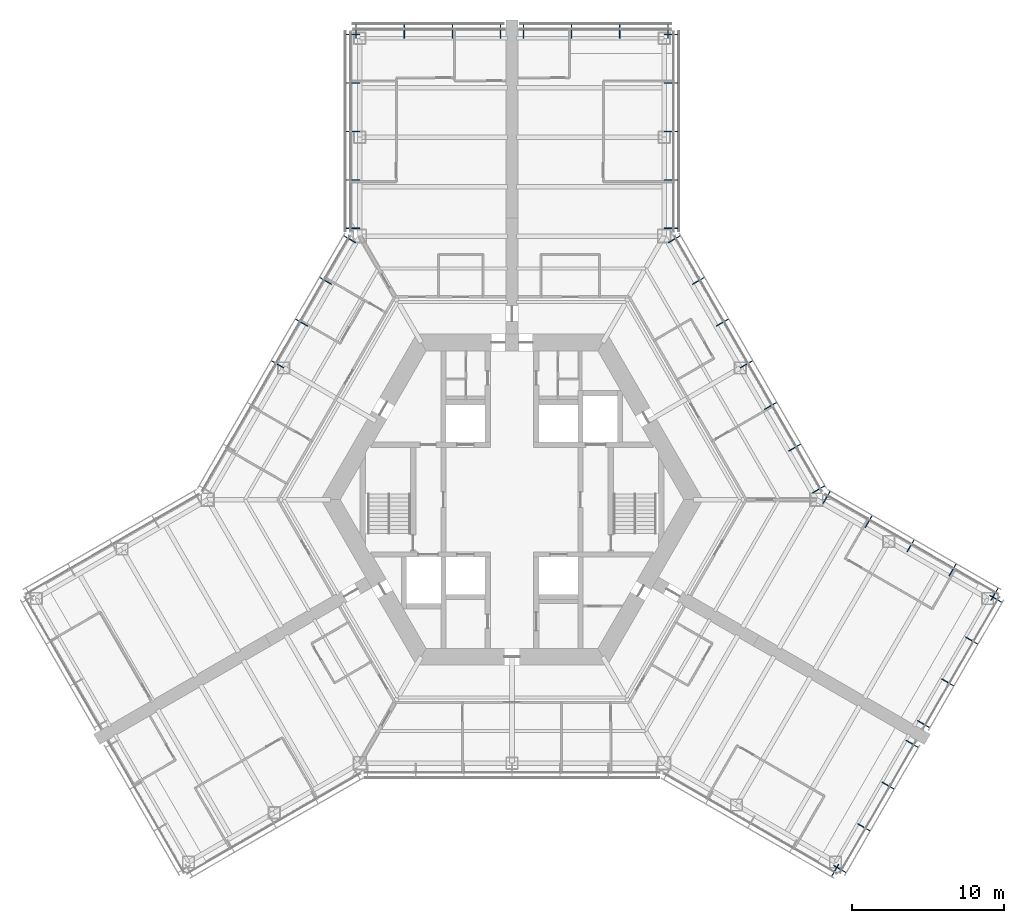
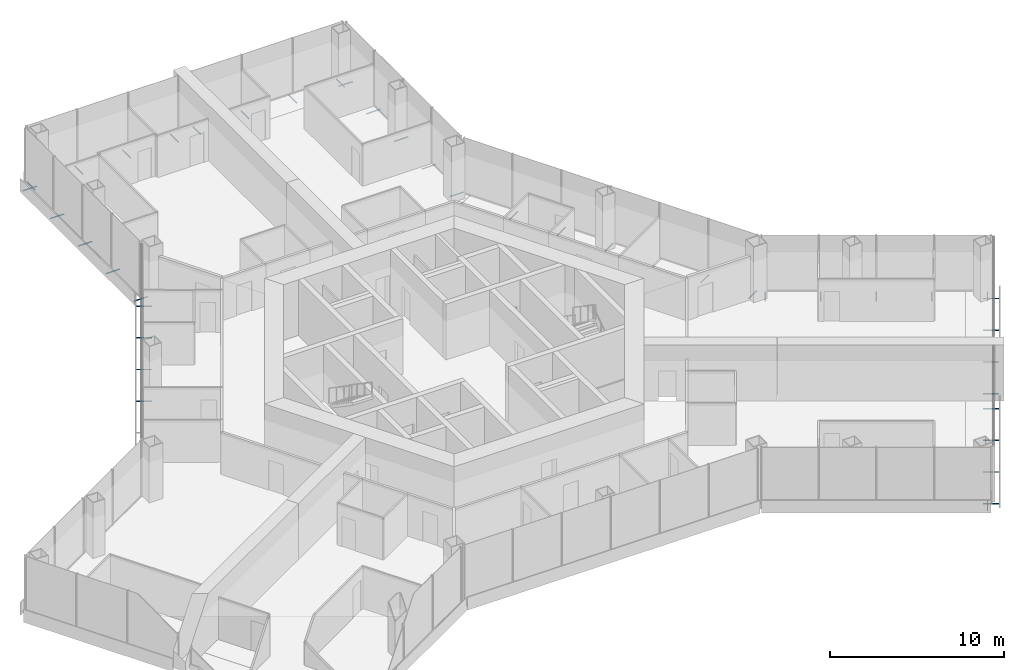
# One storey, part 17 of 19: 43 discrete accessories.
"""IFC4 building model written with IfcOpenShell, lengths in metres."""

from ifc_helpers import new_model, si_unit, direction, frame, origin, origin_2d, place, context, subcontext, project, spatial, hollow_circle, extrude, material, material_profile, profile_set, type_object, element, save


model = new_model("IFC4")

# Units and contexts
model_context = context("Model", 3, precision=1e-05, world=origin(), true_north=direction((0.0, 1.0)))
body_context = subcontext(model_context, "Body", "Model", "MODEL_VIEW")
ifc_project = project(units=[si_unit("LENGTHUNIT", "METRE"), si_unit("AREAUNIT", "SQUARE_METRE"), si_unit("VOLUMEUNIT", "CUBIC_METRE"), si_unit("PLANEANGLEUNIT", "RADIAN"), si_unit("MASSUNIT", "GRAM", prefix="KILO")], contexts=[model_context])

# Site, building, storey
site_placement = place(None, origin())
site = spatial("IfcSite", under=ifc_project, at=site_placement, CompositionType="ELEMENT")
building_placement = place(site_placement, origin())
building = spatial("IfcBuilding", under=site, at=building_placement, Name="Kasaneha Research Tower", CompositionType="ELEMENT")
storey_placement = place(building_placement, frame((0.0, 0.0, 88.5)))
storey = spatial("IfcBuildingStorey", under=building, at=storey_placement, Name="L22", CompositionType="ELEMENT", Elevation=88.5)

# Discrete accessories
ifc_material = material(Name="Steel STK400", Category="steel")
ifc_material_profile = material_profile(ifc_material, hollow_circle(Radius=0.0380859375, WallThickness=0.00390625, at=origin_2d()), Name="CHS-76.3x4.0")
ifc_profile_set = profile_set([ifc_material_profile], Name="Steel STK400")
discrete_accessory_type = type_object("IfcDiscreteAccessoryType", Name="Screen bracket CHS-76.3x4.0", PredefinedType="BRACKET", material=ifc_profile_set)
discrete_accessory_1_placement = place(storey_placement, frame((21.474853515625, -23.945556640625, -0.300048828125), z_axis=(-0.500021113727, -0.866013213425, 0.0), x_axis=(0.866013213425, -0.500021113727, 0.0)))
element("IfcDiscreteAccessory", 1, at=discrete_accessory_1_placement, inside=storey, type_object=discrete_accessory_type, Name="Screen bracket 5", PredefinedType="BRACKET", context=body_context, shape_type="SweptSolid", body=[
    extrude(hollow_circle(Radius=0.0380859375, WallThickness=0.00390625, at=origin_2d()), origin(), (0.0, 0.0, 1.0), 0.919921875),
])
for number, where, z_axis, x_axis, name in (
    (2, (21.13330078125, -24.037109375, -0.300048828125), (0.866079547155, -0.499906209203, 0.0), (0.499906209203, 0.866079547155, 0.0), "Screen bracket 1"),
    (3, (22.716552734375, -21.294677734375, -0.300048828125), (0.866079547155, -0.499906209203, 0.0), (0.499906209203, 0.866079547155, 0.0), "Screen bracket 2"),
):
    element("IfcDiscreteAccessory", number, at=place(storey_placement, frame(where, z_axis=z_axis, x_axis=x_axis)), inside=storey, type_object=discrete_accessory_type, Name=name, PredefinedType="BRACKET", context=body_context, shape_type="SweptSolid", body=[
        extrude(hollow_circle(Radius=0.0380859375, WallThickness=0.00390625, at=origin_2d()), origin(), (0.0, 0.0, 1.0), 0.920166015625),
    ])
discrete_accessory_2_placement = place(storey_placement, frame((24.300048828125, -18.55224609375, -0.300048828125), z_axis=(0.866013213425, -0.500021113727, 0.0), x_axis=(0.500021113727, 0.866013213425, 0.0)))
element("IfcDiscreteAccessory", 4, at=discrete_accessory_2_placement, inside=storey, type_object=discrete_accessory_type, Name="Screen bracket 3", PredefinedType="BRACKET", context=body_context, shape_type="SweptSolid", body=[
    extrude(hollow_circle(Radius=0.0380859375, WallThickness=0.00390625, at=origin_2d()), origin(), (0.0, 0.0, 1.0), 0.919921875),
])
for number, where, z_axis, x_axis, name in (
    (5, (25.88330078125, -15.809814453125, -0.300048828125), (0.866079547155, -0.499906209203, 0.0), (0.499906209203, 0.866079547155, 0.0), "Screen bracket 4"),
    (6, (26.63330078125, -14.5107421875, -0.300048828125), (0.866079547155, -0.499906209203, 0.0), (0.499906209203, 0.866079547155, 0.0), "Screen bracket 1"),
    (7, (28.216552734375, -11.768310546875, -0.300048828125), (0.866079547155, -0.499906209203, 0.0), (0.499906209203, 0.866079547155, 0.0), "Screen bracket 2"),
):
    element("IfcDiscreteAccessory", number, at=place(storey_placement, frame(where, z_axis=z_axis, x_axis=x_axis)), inside=storey, type_object=discrete_accessory_type, Name=name, PredefinedType="BRACKET", context=body_context, shape_type="SweptSolid", body=[
        extrude(hollow_circle(Radius=0.0380859375, WallThickness=0.00390625, at=origin_2d()), origin(), (0.0, 0.0, 1.0), 0.920166015625),
    ])
discrete_accessory_3_placement = place(storey_placement, frame((29.800048828125, -9.02587890625, -0.300048828125), z_axis=(0.866013213425, -0.500021113727, 0.0), x_axis=(0.500021113727, 0.866013213425, 0.0)))
element("IfcDiscreteAccessory", 8, at=discrete_accessory_3_placement, inside=storey, type_object=discrete_accessory_type, Name="Screen bracket 3", PredefinedType="BRACKET", context=body_context, shape_type="SweptSolid", body=[
    extrude(hollow_circle(Radius=0.0380859375, WallThickness=0.00390625, at=origin_2d()), origin(), (0.0, 0.0, 1.0), 0.919921875),
])
discrete_accessory_4_placement = place(storey_placement, frame((31.38330078125, -6.283447265625, -0.300048828125), z_axis=(0.866079547155, -0.499906209203, 0.0), x_axis=(0.499906209203, 0.866079547155, 0.0)))
element("IfcDiscreteAccessory", 9, at=discrete_accessory_4_placement, inside=storey, type_object=discrete_accessory_type, Name="Screen bracket 4", PredefinedType="BRACKET", context=body_context, shape_type="SweptSolid", body=[
    extrude(hollow_circle(Radius=0.0380859375, WallThickness=0.00390625, at=origin_2d()), origin(), (0.0, 0.0, 1.0), 0.920166015625),
])
discrete_accessory_5_placement = place(storey_placement, frame((31.474853515625, -6.625, -0.300048828125), z_axis=(0.500021113727, 0.866013213425, 0.0), x_axis=(-0.866013213425, 0.500021113727, 0.0)))
element("IfcDiscreteAccessory", 10, at=discrete_accessory_5_placement, inside=storey, type_object=discrete_accessory_type, Name="Screen bracket 1", PredefinedType="BRACKET", context=body_context, shape_type="SweptSolid", body=[
    extrude(hollow_circle(Radius=0.0380859375, WallThickness=0.00390625, at=origin_2d()), origin(), (0.0, 0.0, 1.0), 0.919921875),
])
discrete_accessory_6_placement = place(storey_placement, frame((28.716796875, -5.03271484375, -0.300048828125), z_axis=(0.499906209203, 0.866079547155, 0.0), x_axis=(-0.866079547155, 0.499906209203, 0.0)))
element("IfcDiscreteAccessory", 11, at=discrete_accessory_6_placement, inside=storey, type_object=discrete_accessory_type, Name="Screen bracket 2", PredefinedType="BRACKET", context=body_context, shape_type="SweptSolid", body=[
    extrude(hollow_circle(Radius=0.0380859375, WallThickness=0.00390625, at=origin_2d()), origin(), (0.0, 0.0, 1.0), 0.920166015625),
])
discrete_accessory_7_placement = place(storey_placement, frame((25.95849609375, -3.440185546875, -0.300048828125), z_axis=(0.500220121494, 0.865898279276, 0.0), x_axis=(-0.865898279276, 0.500220121494, 0.0)))
element("IfcDiscreteAccessory", 12, at=discrete_accessory_7_placement, inside=storey, type_object=discrete_accessory_type, Name="Screen bracket 3", PredefinedType="BRACKET", context=body_context, shape_type="SweptSolid", body=[
    extrude(hollow_circle(Radius=0.0380859375, WallThickness=0.00390625, at=origin_2d()), origin(), (0.0, 0.0, 1.0), 0.919921875),
])
discrete_accessory_8_placement = place(storey_placement, frame((23.200439453125, -1.847900390625, -0.300048828125), z_axis=(0.499906209203, 0.866079547155, 0.0), x_axis=(-0.866079547155, 0.499906209203, 0.0)))
element("IfcDiscreteAccessory", 13, at=discrete_accessory_8_placement, inside=storey, type_object=discrete_accessory_type, Name="Screen bracket 4", PredefinedType="BRACKET", context=body_context, shape_type="SweptSolid", body=[
    extrude(hollow_circle(Radius=0.0380859375, WallThickness=0.00390625, at=origin_2d()), origin(), (0.0, 0.0, 1.0), 0.920166015625),
])
for number, where, z_axis, x_axis, name in (
    (14, (20.4423828125, -0.25537109375, -0.300048828125), (0.500021113727, 0.866013213425, 0.0), (-0.866013213425, 0.500021113727, 0.0), "Screen bracket 5"),
    (15, (19.74462890625, 0.4423828125, -0.300048828125), (0.866013213425, 0.500021113727, 0.0), (-0.500021113727, 0.866013213425, 0.0), "Screen bracket 1"),
    (16, (18.1630859375, 3.181640625, -0.300048828125), (0.866013213425, 0.500021113727, 0.0), (-0.500021113727, 0.866013213425, 0.0), "Screen bracket 2"),
    (17, (16.58154296875, 5.9208984375, -0.300048828125), (0.866013213425, 0.500021113727, 0.0), (-0.500021113727, 0.866013213425, 0.0), "Screen bracket 3"),
    (18, (15.0, 8.66015625, -0.300048828125), (0.865898279276, 0.500220121494, 0.0), (-0.500220121494, 0.865898279276, 0.0), "Screen bracket 4"),
    (19, (13.41845703125, 11.399658203125, -0.300048828125), (0.866013213425, 0.500021113727, 0.0), (-0.500021113727, 0.866013213425, 0.0), "Screen bracket 5"),
    (20, (11.8369140625, 14.138916015625, -0.300048828125), (0.866013213425, 0.500021113727, 0.0), (-0.500021113727, 0.866013213425, 0.0), "Screen bracket 6"),
):
    element("IfcDiscreteAccessory", number, at=place(storey_placement, frame(where, z_axis=z_axis, x_axis=x_axis)), inside=storey, type_object=discrete_accessory_type, Name=name, PredefinedType="BRACKET", context=body_context, shape_type="SweptSolid", body=[
        extrude(hollow_circle(Radius=0.0380859375, WallThickness=0.00390625, at=origin_2d()), origin(), (0.0, 0.0, 1.0), 0.919921875),
    ])
discrete_accessory_9_placement = place(storey_placement, frame((10.25537109375, 16.878173828125, -0.300048828125), z_axis=(0.866079547155, 0.499906209203, 0.0), x_axis=(-0.499906209203, 0.866079547155, 0.0)))
element("IfcDiscreteAccessory", 21, at=discrete_accessory_9_placement, inside=storey, type_object=discrete_accessory_type, Name="Screen bracket 7", PredefinedType="BRACKET", context=body_context, shape_type="SweptSolid", body=[
    extrude(hollow_circle(Radius=0.0380859375, WallThickness=0.00390625, at=origin_2d()), origin(), (0.0, 0.0, 1.0), 0.920166015625),
])
for number, where, z_axis, x_axis, name in (
    (22, (10.0, 17.831298828125, -0.300048828125), (1.0, 0.0, 0.0), (0.0, 1.0, 0.0), "Screen bracket 1"),
    (23, (10.0, 21.01611328125, -0.300048828125), (1.0, 0.0, 0.0), (0.0, 1.0, 0.0), "Screen bracket 2"),
    (24, (10.0, 24.200927734375, -0.300048828125), (1.0, 0.0, 0.0), (0.0, 1.0, 0.0), "Screen bracket 3"),
    (25, (10.0, 27.3857421875, -0.300048828125), (1.0, 0.0, 0.0), (0.0, 1.0, 0.0), "Screen bracket 4"),
    (26, (10.0, 30.570556640625, -0.300048828125), (1.0, 0.0, 0.0), (0.0, 1.0, 0.0), "Screen bracket 5"),
    (27, (10.25, 30.320556640625, -0.300048828125), (0.0, 1.0, 0.0), (-1.0, 0.0, 0.0), "Screen bracket 1"),
    (28, (7.083251953125, 30.320556640625, -0.300048828125), (0.0, 1.0, 0.0), (-1.0, 0.0, 0.0), "Screen bracket 2"),
    (29, (3.916748046875, 30.320556640625, -0.300048828125), (0.0, 1.0, 0.0), (-1.0, 0.0, 0.0), "Screen bracket 3"),
    (30, (0.75, 30.320556640625, -0.300048828125), (0.0, 1.0, 0.0), (-1.0, 0.0, 0.0), "Screen bracket 4"),
    (31, (-0.75, 30.320556640625, -0.300048828125), (0.0, 1.0, 0.0), (-1.0, 0.0, 0.0), "Screen bracket 1"),
    (32, (-3.916748046875, 30.320556640625, -0.300048828125), (0.0, 1.0, 0.0), (-1.0, 0.0, 0.0), "Screen bracket 2"),
    (33, (-7.083251953125, 30.320556640625, -0.300048828125), (0.0, 1.0, 0.0), (-1.0, 0.0, 0.0), "Screen bracket 3"),
    (34, (-10.25, 30.320556640625, -0.300048828125), (0.0, 1.0, 0.0), (-1.0, 0.0, 0.0), "Screen bracket 4"),
    (35, (-10.0, 30.570556640625, -0.300048828125), (-1.0, 0.0, 0.0), (0.0, -1.0, 0.0), "Screen bracket 1"),
    (36, (-10.0, 27.3857421875, -0.300048828125), (-1.0, 0.0, 0.0), (0.0, -1.0, 0.0), "Screen bracket 2"),
    (37, (-10.0, 24.200927734375, -0.300048828125), (-1.0, 0.0, 0.0), (0.0, -1.0, 0.0), "Screen bracket 3"),
    (38, (-10.0, 21.01611328125, -0.300048828125), (-1.0, 0.0, 0.0), (0.0, -1.0, 0.0), "Screen bracket 4"),
    (39, (-10.0, 17.831298828125, -0.300048828125), (-1.0, 0.0, 0.0), (0.0, -1.0, 0.0), "Screen bracket 5"),
):
    element("IfcDiscreteAccessory", number, at=place(storey_placement, frame(where, z_axis=z_axis, x_axis=x_axis)), inside=storey, type_object=discrete_accessory_type, Name=name, PredefinedType="BRACKET", context=body_context, shape_type="SweptSolid", body=[
        extrude(hollow_circle(Radius=0.0380859375, WallThickness=0.00390625, at=origin_2d()), origin(), (0.0, 0.0, 1.0), 0.919921875),
    ])
discrete_accessory_10_placement = place(storey_placement, frame((-10.25537109375, 16.878173828125, -0.300048828125), z_axis=(-0.866079547155, 0.499906209203, 0.0), x_axis=(-0.499906209203, -0.866079547155, 0.0)))
element("IfcDiscreteAccessory", 40, at=discrete_accessory_10_placement, inside=storey, type_object=discrete_accessory_type, Name="Screen bracket 1", PredefinedType="BRACKET", context=body_context, shape_type="SweptSolid", body=[
    extrude(hollow_circle(Radius=0.0380859375, WallThickness=0.00390625, at=origin_2d()), origin(), (0.0, 0.0, 1.0), 0.920166015625),
])
for number, where, z_axis, x_axis, name in (
    (41, (-11.8369140625, 14.138916015625, -0.300048828125), (-0.866013213425, 0.500021113727, 0.0), (-0.500021113727, -0.866013213425, 0.0), "Screen bracket 2"),
    (42, (-13.41845703125, 11.399658203125, -0.300048828125), (-0.866013213425, 0.500021113727, 0.0), (-0.500021113727, -0.866013213425, 0.0), "Screen bracket 3"),
    (43, (-15.0, 8.66015625, -0.300048828125), (-0.865898279276, 0.500220121494, 0.0), (-0.500220121494, -0.865898279276, 0.0), "Screen bracket 4"),
):
    element("IfcDiscreteAccessory", number, at=place(storey_placement, frame(where, z_axis=z_axis, x_axis=x_axis)), inside=storey, type_object=discrete_accessory_type, Name=name, PredefinedType="BRACKET", context=body_context, shape_type="SweptSolid", body=[
        extrude(hollow_circle(Radius=0.0380859375, WallThickness=0.00390625, at=origin_2d()), origin(), (0.0, 0.0, 1.0), 0.919921875),
    ])

save(model, "model.ifc")
